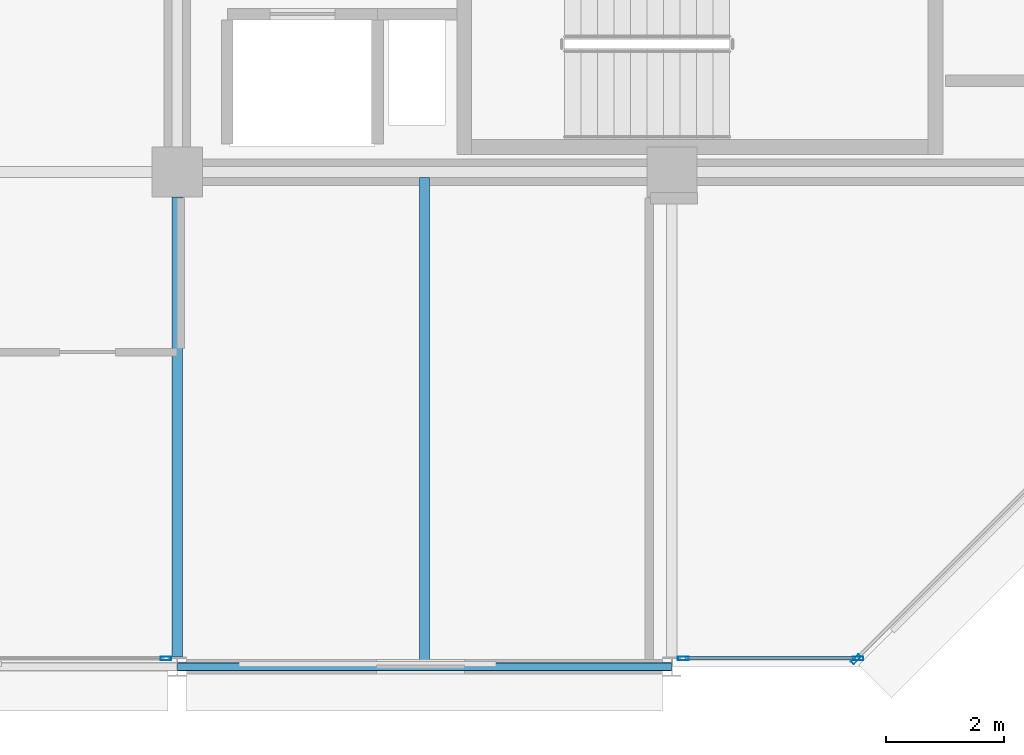
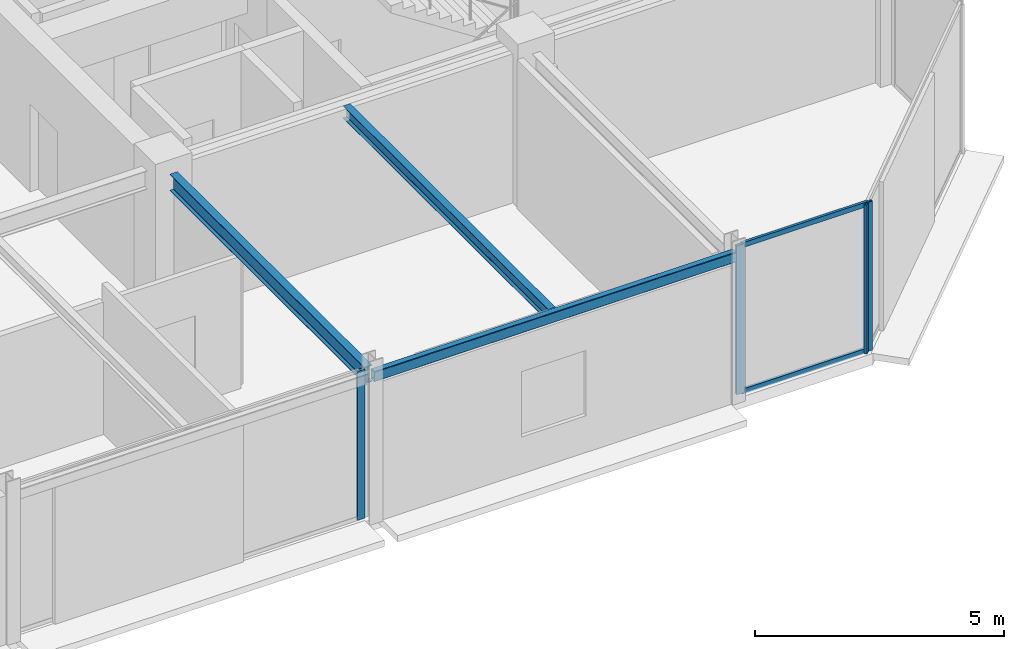
# One storey, part 7 of 25: 6 members, 3 beams, 3 elements without a shape of their own.
"""IFC4 building model written with IfcOpenShell, lengths in metres."""

from ifc_helpers import new_model, si_unit, direction, frame, origin, origin_2d, place, context, subcontext, project, spatial, hollow_rectangle, i_section, extrude, material, layer, layer_set, material_profile, profile_set, type_object, element, aggregate, save


model = new_model("IFC4")

# Units and contexts
model_context = context("Model", 3, precision=1e-05, world=origin(), true_north=direction((0.0, 1.0)))
body_context = subcontext(model_context, "Body", "Model", "MODEL_VIEW")
ifc_project = project(units=[si_unit("LENGTHUNIT", "METRE"), si_unit("AREAUNIT", "SQUARE_METRE"), si_unit("VOLUMEUNIT", "CUBIC_METRE"), si_unit("PLANEANGLEUNIT", "RADIAN"), si_unit("MASSUNIT", "GRAM", prefix="KILO")], contexts=[model_context])

# Site, building, storey
site_placement = place(None, origin())
site = spatial("IfcSite", under=ifc_project, at=site_placement, CompositionType="ELEMENT")
building_placement = place(site_placement, origin())
building = spatial("IfcBuilding", under=site, at=building_placement, Name="Nerrivon Quay Data Exchange", CompositionType="ELEMENT")
storey_placement = place(building_placement, frame((0.0, 0.0, 318.199951171875)))
storey = spatial("IfcBuildingStorey", under=building, at=storey_placement, Name="L76", CompositionType="ELEMENT", Elevation=318.199951171875)

# Beams
ifc_material_1 = material(Name="Steel Grade 350", Category="steel")
ifc_material_profile_1 = material_profile(ifc_material_1, i_section(OverallWidth=0.177978515625, OverallDepth=0.406005859375, WebThickness=0.0078125, FlangeThickness=0.0126953125, FilletRadius=0.011474609375, at=origin_2d()), Name="410UB59.7")
ifc_profile_set_1 = profile_set([ifc_material_profile_1], Name="Steel Grade 350")
beam_type_1 = type_object("IfcBeamType", Name="BM-J1-410UB60", PredefinedType="JOIST", material=ifc_profile_set_1)
beam_1_placement = place(storey_placement, frame((16.800048828125, 0.16357421875, 3.447021484375), z_axis=(0.0, 1.0, 0.0), x_axis=(-1.0, 0.0, 0.0)))
element("IfcBeam", 1, at=beam_1_placement, inside=storey, type_object=beam_type_1, Name="L76 NS Girder X=16.8 (0.0..8.4)", PredefinedType="JOIST", context=body_context, shape_type="SweptSolid", body=[
    extrude(i_section(OverallWidth=0.177978515625, OverallDepth=0.406005859375, WebThickness=0.0078125, FlangeThickness=0.0126953125, FilletRadius=0.011474609375, at=origin_2d()), origin(), (0.0, 0.0, 1.0), 7.8115234375),
])
ifc_material_profile_2 = material_profile(ifc_material_1, i_section(OverallWidth=0.1650390625, OverallDepth=0.303955078125, WebThickness=0.006103515625, FlangeThickness=0.01025390625, FilletRadius=0.011474609375, at=origin_2d()), Name="310UB40.4")
ifc_profile_set_2 = profile_set([ifc_material_profile_2], Name="Steel Grade 350")
beam_type_2 = type_object("IfcBeamType", Name="BM-J6-310UB40", PredefinedType="JOIST", material=ifc_profile_set_2)
beam_2_placement = place(storey_placement, frame((21.0, 0.074951171875, 3.498046875), z_axis=(0.0, 1.0, 0.0), x_axis=(-1.0, 0.0, 0.0)))
element("IfcBeam", 2, at=beam_2_placement, inside=storey, type_object=beam_type_2, Name="L76 Secondary Joist X=21.0 (0.0..8.4)", PredefinedType="JOIST", context=body_context, shape_type="SweptSolid", body=[
    extrude(i_section(OverallWidth=0.1650390625, OverallDepth=0.303955078125, WebThickness=0.006103515625, FlangeThickness=0.01025390625, FilletRadius=0.011474609375, at=origin_2d()), origin(), (0.0, 0.0, 1.0), 8.22998046875),
])
ifc_material_2 = material(Name="Steel Grade C350L0 (350 MPa)", Category="steel")
ifc_material_profile_3 = material_profile(ifc_material_2, hollow_rectangle(XDim=0.14990234375, YDim=0.25, WallThickness=0.009033203125, InnerFilletRadius=0.013427734375, OuterFilletRadius=0.0224609375, at=origin_2d()), Name="250x150x9.0RHS")
ifc_profile_set_3 = profile_set([ifc_material_profile_3], Name="Steel Grade C350L0 (350 MPa)")
beam_type_3 = type_object("IfcBeamType", Name="BM-SP4-250x150RHS", PredefinedType="SPANDREL", material=ifc_profile_set_3)
beam_3_placement = place(storey_placement, frame((16.807861328125, 0.0, 3.525146484375), z_axis=(1.0, 0.0, 0.0), x_axis=(0.0, 1.0, 0.0)))
element("IfcBeam", 3, at=beam_3_placement, inside=storey, type_object=beam_type_3, Name="L76 EW Girder Y=0.0 (16.8..25.2)", PredefinedType="SPANDREL", context=body_context, shape_type="SweptSolid", body=[
    extrude(hollow_rectangle(XDim=0.14990234375, YDim=0.25, WallThickness=0.009033203125, InnerFilletRadius=0.013427734375, OuterFilletRadius=0.0224609375, at=origin_2d()), origin(), (0.0, 0.0, 1.0), 8.38427734375),
])

# Curtain wall, member
ifc_material_3 = material(Name="Anodised aluminium 6063-T6", Category="aluminium")
ifc_layer = layer(ifc_material_3, 0.195068359375)
ifc_layer_set = layer_set([ifc_layer], Name="Anodised aluminium 6063-T6")
curtain_wall_type = type_object("IfcCurtainWallType", Name="CW-SYS-06", PredefinedType="NOTDEFINED", material=ifc_layer_set)
curtain_wall_1_placement = place(storey_placement, origin())
curtain_wall_1 = element("IfcCurtainWall", 4, at=curtain_wall_1_placement, inside=storey, type_object=curtain_wall_type, Name="L76 Unitised Curtain Wall 1", PredefinedType="NOTDEFINED")
ifc_material_profile_4 = material_profile(ifc_material_3, hollow_rectangle(XDim=0.06494140625, YDim=0.179931640625, WallThickness=0.00341796875, at=origin_2d()), Name="ALU-MULL-180x65")
ifc_profile_set_4 = profile_set([ifc_material_profile_4], Name="Anodised aluminium 6063-T6")
member_type_1 = type_object("IfcMemberType", Name="CWM-180x65", PredefinedType="MULLION", material=ifc_profile_set_4)
member_1_placement = place(storey_placement, frame((28.32763671875, 0.12548828125, 0.0), z_axis=(0.0, 0.0, 1.0), x_axis=(0.707106781187, -0.707106781187, 0.0)))
member_1 = element("IfcMember", 5, at=member_1_placement, type_object=member_type_1, Name="CW06 mullion 2", PredefinedType="MULLION", context=body_context, shape_type="SweptSolid", body=[
    extrude(hollow_rectangle(XDim=0.06494140625, YDim=0.179931640625, WallThickness=0.00341796875, at=origin_2d()), origin(), (0.0, 0.0, 1.0), 3.650146484375),
])
aggregate(curtain_wall_1, [member_1])

# Curtain wall, members
curtain_wall_2_placement = place(storey_placement, origin())
curtain_wall_2 = element("IfcCurtainWall", 6, at=curtain_wall_2_placement, inside=storey, type_object=curtain_wall_type, Name="L76 Unitised Curtain Wall 2", PredefinedType="NOTDEFINED")
member_2_placement = place(storey_placement, frame((28.362548828125, 0.139892578125, 0.0), z_axis=(0.0, 0.0, 1.0), x_axis=(0.0, -1.0, 0.0)))
member_2 = element("IfcMember", 7, at=member_2_placement, type_object=member_type_1, Name="CW06 mullion 1", PredefinedType="MULLION", context=body_context, shape_type="SweptSolid", body=[
    extrude(hollow_rectangle(XDim=0.06494140625, YDim=0.179931640625, WallThickness=0.00341796875, at=origin_2d()), origin(), (0.0, 0.0, 1.0), 3.650146484375),
])
member_3_placement = place(storey_placement, frame((25.39306640625, 0.139892578125, 0.0), z_axis=(0.0, 0.0, 1.0), x_axis=(0.0, -1.0, 0.0)))
member_3 = element("IfcMember", 8, at=member_3_placement, type_object=member_type_1, Name="CW06 mullion 2", PredefinedType="MULLION", context=body_context, shape_type="SweptSolid", body=[
    extrude(hollow_rectangle(XDim=0.06494140625, YDim=0.179931640625, WallThickness=0.00341796875, at=origin_2d()), origin(), (0.0, 0.0, 1.0), 3.650146484375),
])

# Curtain wall, member
curtain_wall_3_placement = place(storey_placement, origin())
curtain_wall_3 = element("IfcCurtainWall", 9, at=curtain_wall_3_placement, inside=storey, type_object=curtain_wall_type, Name="L76 Unitised Curtain Wall 4", PredefinedType="NOTDEFINED")
member_4_placement = place(storey_placement, frame((16.60693359375, 0.139892578125, 0.0), z_axis=(0.0, 0.0, 1.0), x_axis=(0.0, -1.0, 0.0)))
member_4 = element("IfcMember", 10, at=member_4_placement, type_object=member_type_1, Name="CW06 mullion 1", PredefinedType="MULLION", context=body_context, shape_type="SweptSolid", body=[
    extrude(hollow_rectangle(XDim=0.06494140625, YDim=0.179931640625, WallThickness=0.00341796875, at=origin_2d()), origin(), (0.0, 0.0, 1.0), 3.650146484375),
])
aggregate(curtain_wall_3, [member_4])

# Member
ifc_material_profile_5 = material_profile(ifc_material_3, hollow_rectangle(XDim=0.06005859375, YDim=0.1201171875, WallThickness=0.003173828125, at=origin_2d()), Name="ALU-TRAN-120x60")
ifc_profile_set_5 = profile_set([ifc_material_profile_5], Name="Anodised aluminium 6063-T6")
member_type_2 = type_object("IfcMemberType", Name="CWT-120x60", PredefinedType="USERDEFINED", material=ifc_profile_set_5)
member_5_placement = place(storey_placement, frame((28.324951171875, 0.139892578125, 0.032470703125), z_axis=(-1.0, 0.0, 0.0), x_axis=(0.0, -1.0, 0.0)))
member_5 = element("IfcMember", 11, at=member_5_placement, type_object=member_type_2, Name="CW06 transom 1.1", ObjectType="TRANSOM", PredefinedType="USERDEFINED", context=body_context, shape_type="SweptSolid", body=[
    extrude(hollow_rectangle(XDim=0.06005859375, YDim=0.1201171875, WallThickness=0.003173828125, at=origin_2d()), origin(), (0.0, 0.0, 1.0), 2.89453125),
])

member_6_placement = place(storey_placement, frame((28.324951171875, 0.139892578125, 3.617431640625), z_axis=(-1.0, 0.0, 0.0), x_axis=(0.0, -1.0, 0.0)))
member_6 = element("IfcMember", 12, at=member_6_placement, type_object=member_type_2, Name="CW06 transom 1.2", ObjectType="TRANSOM", PredefinedType="USERDEFINED", context=body_context, shape_type="SweptSolid", body=[
    extrude(hollow_rectangle(XDim=0.06005859375, YDim=0.1201171875, WallThickness=0.003173828125, at=origin_2d()), origin(), (0.0, 0.0, 1.0), 2.89453125),
])

aggregate(curtain_wall_2, [member_2, member_3, member_5, member_6])

save(model, "model.ifc")
